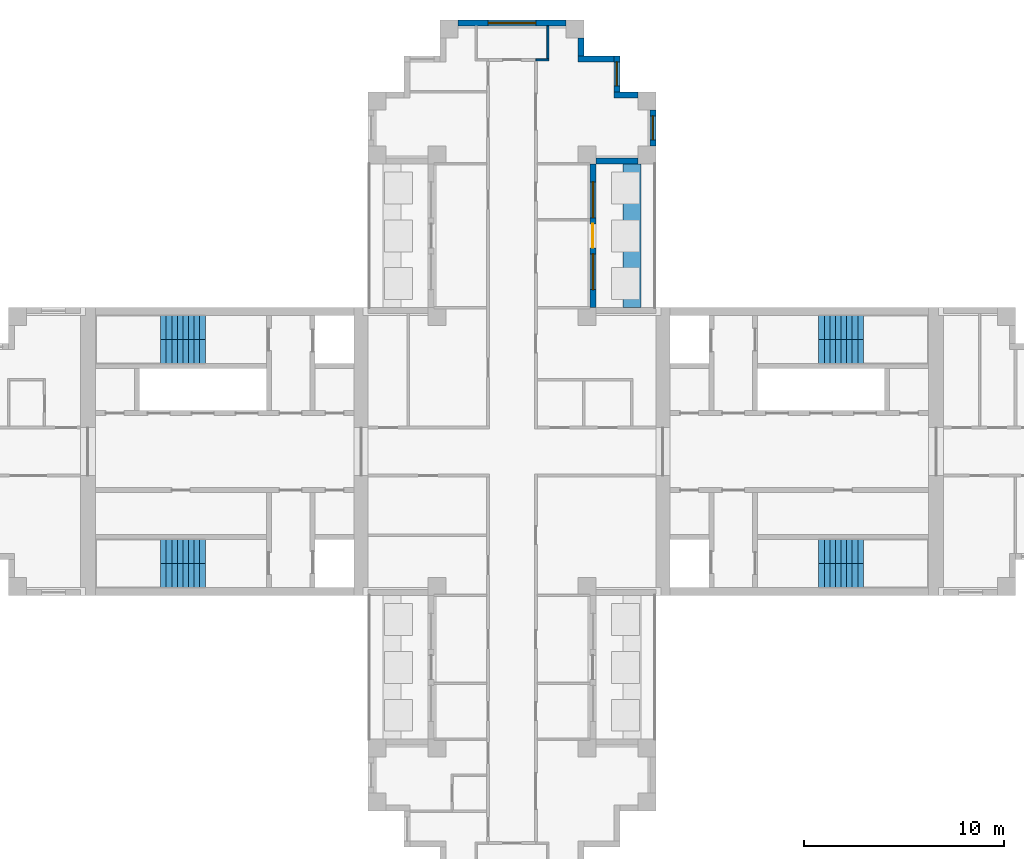
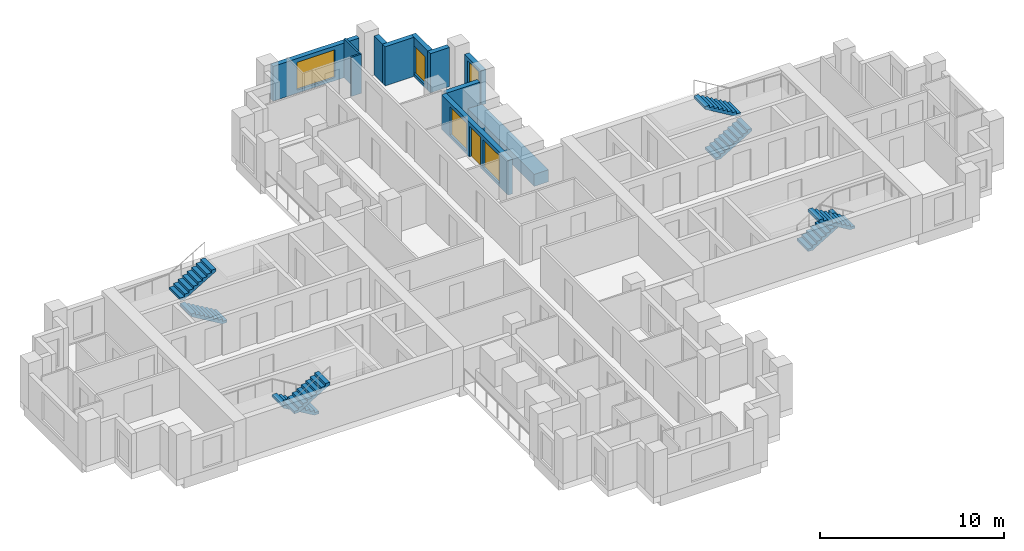
# One storey, part 7 of 9: 11 walls, 8 stair flights, 5 windows, 1 door, 6 openings, 4 elements without a shape of their own.
"""IFC4 building model written with IfcOpenShell, lengths in metres."""

from ifc_helpers import new_model, si_unit, direction, frame, frame_2d, origin, place, context, subcontext, project, spatial, polyline, rectangle, outline, extrude, material, layer, layer_set, type_object, element, fill, aggregate, save


model = new_model("IFC4")

# Units and contexts
model_context = context("Model", 3, precision=1e-05, world=origin(), true_north=direction((0.0, 1.0)))
body_context = subcontext(model_context, "Body", "Model", "MODEL_VIEW")
ifc_project = project(units=[si_unit("LENGTHUNIT", "METRE"), si_unit("AREAUNIT", "SQUARE_METRE"), si_unit("VOLUMEUNIT", "CUBIC_METRE"), si_unit("PLANEANGLEUNIT", "RADIAN"), si_unit("MASSUNIT", "GRAM", prefix="KILO")], contexts=[model_context])

# Site, building, storey
site_placement = place(None, origin())
site = spatial("IfcSite", under=ifc_project, at=site_placement, CompositionType="ELEMENT")
building_placement = place(site_placement, origin())
building = spatial("IfcBuilding", under=site, at=building_placement, Name="Fustian Cross Tower", CompositionType="ELEMENT")
storey_placement = place(building_placement, frame((0.0, 0.0, 216.89990234375)))
storey = spatial("IfcBuildingStorey", under=building, at=storey_placement, Name="L68", CompositionType="ELEMENT", Elevation=216.89990234375)

# Walls
ifc_material_1 = material(Name="Plasterboard on steel stud", Category="steel")
ifc_layer_1 = layer(ifc_material_1, 0.10009765625)
ifc_layer_set_1 = layer_set([ifc_layer_1], Name="Plasterboard on steel stud")
wall_type_1 = type_object("IfcWallType", Name="PARTITION 100 STUD", PredefinedType="PARTITIONING", material=ifc_layer_set_1)
wall_1_placement = place(storey_placement, frame((1.199951171875, 19.60009765625, 0.0), z_axis=(0.0, 0.0, 1.0), x_axis=(1.0, 0.0, 0.0)))
element("IfcWall", 1, at=wall_1_placement, inside=storey, type_object=wall_type_1, Name="Partition 45", PredefinedType="PARTITIONING", context=body_context, shape_type="SweptSolid", body=[
    extrude(rectangle(XDim=0.650146484375, YDim=0.10009765625, at=frame_2d((0.3251953125, 0.0))), origin(), (0.0, 0.0, 1.0), 2.60009765625),
])
wall_2_placement = place(storey_placement, frame((1.800048828125, 19.64990234375, 0.0), z_axis=(0.0, 0.0, 1.0), x_axis=(0.0, 1.0, 0.0)))
element("IfcWall", 2, at=wall_2_placement, inside=storey, type_object=wall_type_1, Name="Partition 47", PredefinedType="PARTITIONING", context=body_context, shape_type="SweptSolid", body=[
    extrude(rectangle(XDim=1.650146484375, YDim=0.10009765625, at=frame_2d((0.8251953125, 0.0))), origin(), (0.0, 0.0, 1.0), 2.60009765625),
])
ifc_material_2 = material(Name="Concrete C40/50", Category="concrete")
ifc_layer_2 = layer(ifc_material_2, 0.89990234375)
ifc_layer_set_2 = layer_set([ifc_layer_2], Name="Concrete C40/50")
wall_type_2 = type_object("IfcWallType", Name="PK1 PLANTER 900", PredefinedType="PARAPET", material=ifc_layer_set_2)
wall_3_placement = place(storey_placement, frame((6.0, 7.199951171875, 0.0), z_axis=(0.0, 0.0, 1.0), x_axis=(0.0, 1.0, 0.0)))
element("IfcWall", 3, at=wall_3_placement, inside=storey, type_object=wall_type_2, Name="PLANTER", PredefinedType="PARAPET", context=body_context, shape_type="SweptSolid", body=[
    extrude(rectangle(XDim=7.199951171875, YDim=0.89990234375, at=frame_2d((3.60009765625, 0.0))), origin(), (0.0, 0.0, 1.0), 0.800048828125),
])

# Wall, openings, door, windows
ifc_material_3 = material(Name="Dark aluminium cladding on insulated backing wall", Category="aluminium")
ifc_layer_3 = layer(ifc_material_3, 0.300048828125)
ifc_layer_set_3 = layer_set([ifc_layer_3], Name="Dark aluminium cladding on insulated backing wall")
wall_type_3 = type_object("IfcWallType", Name="XW1 EXTERNAL WALL 300", PredefinedType="SOLIDWALL", material=ifc_layer_set_3)
wall_4_placement = place(storey_placement, frame((4.050048828125, 7.199951171875, 0.0), z_axis=(0.0, 0.0, 1.0), x_axis=(0.0, 1.0, 0.0)))
wall_4 = element("IfcWall", 4, at=wall_4_placement, inside=storey, type_object=wall_type_3, Name="External wall", PredefinedType="SOLIDWALL", context=body_context, shape_type="SweptSolid", body=[
    extrude(rectangle(XDim=7.199951171875, YDim=0.300048828125, at=frame_2d((3.60009765625, 0.0))), origin(), (0.0, 0.0, 1.0), 2.300048828125),
])
opening_1_placement = place(wall_4_placement, frame((3.0, 0.0, 0.0)))
opening_1 = element("IfcOpeningElement", 5, at=opening_1_placement, cuts=wall_4, Name="Opening XD1", PredefinedType="OPENING", context=body_context, shape_type="SweptSolid", body=[
    extrude(rectangle(XDim=1.199951171875, YDim=2.050048828125, at=frame_2d((0.60009765625, 1.02490234375))), frame((0.0, 0.159912109375, 0.0), z_axis=(0.0, -1.0, 0.0), x_axis=(1.0, 0.0, 0.0)), (0.0, 0.0, 1.0), 0.320068359375),
])
opening_2_placement = place(wall_4_placement, frame((0.89990234375, 0.0, 0.199951171875)))
opening_2 = element("IfcOpeningElement", 6, at=opening_2_placement, cuts=wall_4, Name="Opening WN2", PredefinedType="OPENING", context=body_context, shape_type="SweptSolid", body=[
    extrude(rectangle(XDim=1.800048828125, YDim=1.85009765625, at=frame_2d((0.89990234375, 0.925048828125))), frame((0.0, 0.159912109375, 0.0), z_axis=(0.0, -1.0, 0.0), x_axis=(1.0, 0.0, 0.0)), (0.0, 0.0, 1.0), 0.320068359375),
])
opening_3_placement = place(wall_4_placement, frame((4.5, 0.0, 0.199951171875)))
opening_3 = element("IfcOpeningElement", 7, at=opening_3_placement, cuts=wall_4, Name="Opening WN2", PredefinedType="OPENING", context=body_context, shape_type="SweptSolid", body=[
    extrude(rectangle(XDim=1.800048828125, YDim=1.85009765625, at=frame_2d((0.89990234375, 0.925048828125))), frame((0.0, 0.159912109375, 0.0), z_axis=(0.0, -1.0, 0.0), x_axis=(1.0, 0.0, 0.0)), (0.0, 0.0, 1.0), 0.320068359375),
])
ifc_material_4 = material(Name="Dark anodised aluminium and double glazing", Category="aluminium")
door_type = type_object("IfcDoorType", Name="ED1 BALCONY DOOR 1200X2050", OperationType="SINGLE_SWING_LEFT", PredefinedType="DOOR", material=ifc_material_4)
door_placement = place(opening_1_placement, origin())
door = element("IfcDoor", 8, at=door_placement, inside=storey, type_object=door_type, Name="Balcony door", OperationType="SINGLE_SWING_LEFT", OverallHeight=2.050048828125, OverallWidth=1.199951171875, PredefinedType="DOOR", context=body_context, shape_type="SweptSolid", body=[
    extrude(rectangle(XDim=1.199951171875, YDim=2.050048828125, at=frame_2d((0.60009765625, 1.02490234375))), frame((0.0, 0.02490234375, 0.0), z_axis=(0.0, -1.0, 0.0), x_axis=(1.0, 0.0, 0.0)), (0.0, 0.0, 1.0), 0.050048828125),
])
fill(opening_1, door)
ifc_material_5 = material(Name="Dark anodised aluminium and double glazing", Category="aluminium")
window_type_1 = type_object("IfcWindowType", Name="WN2 WINDOW 1800X1850", PartitioningType="SINGLE_PANEL", PredefinedType="WINDOW", material=ifc_material_5)
window_1_placement = place(opening_2_placement, origin())
window_1 = element("IfcWindow", 9, at=window_1_placement, inside=storey, type_object=window_type_1, Name="Window", OverallHeight=1.85009765625, OverallWidth=1.800048828125, PartitioningType="SINGLE_PANEL", PredefinedType="WINDOW", context=body_context, shape_type="SweptSolid", body=[
    extrude(rectangle(XDim=1.800048828125, YDim=1.85009765625, at=frame_2d((0.89990234375, 0.925048828125))), frame((0.0, 0.030029296875, 0.0), z_axis=(0.0, -1.0, 0.0), x_axis=(1.0, 0.0, 0.0)), (0.0, 0.0, 1.0), 0.06005859375),
])
fill(opening_2, window_1)
window_2_placement = place(opening_3_placement, origin())
window_2 = element("IfcWindow", 10, at=window_2_placement, inside=storey, type_object=window_type_1, Name="Window", OverallHeight=1.85009765625, OverallWidth=1.800048828125, PartitioningType="SINGLE_PANEL", PredefinedType="WINDOW", context=body_context, shape_type="SweptSolid", body=[
    extrude(rectangle(XDim=1.800048828125, YDim=1.85009765625, at=frame_2d((0.89990234375, 0.925048828125))), frame((0.0, 0.030029296875, 0.0), z_axis=(0.0, -1.0, 0.0), x_axis=(1.0, 0.0, 0.0)), (0.0, 0.0, 1.0), 0.06005859375),
])
fill(opening_3, window_2)

# Wall
wall_5_placement = place(storey_placement, frame((4.199951171875, 14.550048828125, 0.0), z_axis=(0.0, 0.0, 1.0), x_axis=(1.0, 0.0, 0.0)))
element("IfcWall", 11, at=wall_5_placement, inside=storey, type_object=wall_type_3, Name="External wall", PredefinedType="SOLIDWALL", context=body_context, shape_type="SweptSolid", body=[
    extrude(rectangle(XDim=2.10009765625, YDim=0.300048828125, at=frame_2d((1.050048828125, 0.0))), origin(), (0.0, 0.0, 1.0), 2.300048828125),
])

# Wall, opening, window
wall_6_placement = place(storey_placement, frame((7.050048828125, 15.300048828125, 0.0), z_axis=(0.0, 0.0, 1.0), x_axis=(0.0, 1.0, 0.0)))
wall_6 = element("IfcWall", 12, at=wall_6_placement, inside=storey, type_object=wall_type_3, Name="External wall", PredefinedType="SOLIDWALL", context=body_context, shape_type="SweptSolid", body=[
    extrude(rectangle(XDim=1.800048828125, YDim=0.300048828125, at=frame_2d((0.89990234375, 0.0))), origin(), (0.0, 0.0, 1.0), 2.300048828125),
])
opening_4_placement = place(wall_6_placement, frame((0.300048828125, 0.0, 0.199951171875)))
opening_4 = element("IfcOpeningElement", 13, at=opening_4_placement, cuts=wall_6, Name="Opening WN3", PredefinedType="OPENING", context=body_context, shape_type="SweptSolid", body=[
    extrude(rectangle(XDim=1.199951171875, YDim=1.85009765625, at=frame_2d((0.60009765625, 0.925048828125))), frame((0.0, 0.159912109375, 0.0), z_axis=(0.0, -1.0, 0.0), x_axis=(1.0, 0.0, 0.0)), (0.0, 0.0, 1.0), 0.320068359375),
])
ifc_material_6 = material(Name="Dark anodised aluminium and double glazing", Category="aluminium")
window_type_2 = type_object("IfcWindowType", Name="WN3 WINDOW 1200X1850", PartitioningType="SINGLE_PANEL", PredefinedType="WINDOW", material=ifc_material_6)
window_3_placement = place(opening_4_placement, origin())
window_3 = element("IfcWindow", 14, at=window_3_placement, inside=storey, type_object=window_type_2, Name="Window", OverallHeight=1.85009765625, OverallWidth=1.199951171875, PartitioningType="SINGLE_PANEL", PredefinedType="WINDOW", context=body_context, shape_type="SweptSolid", body=[
    extrude(rectangle(XDim=1.199951171875, YDim=1.85009765625, at=frame_2d((0.60009765625, 0.925048828125))), frame((0.0, 0.030029296875, 0.0), z_axis=(0.0, -1.0, 0.0), x_axis=(1.0, 0.0, 0.0)), (0.0, 0.0, 1.0), 0.06005859375),
])
fill(opening_4, window_3)

# Wall
wall_7_placement = place(storey_placement, frame((6.300048828125, 17.85009765625, 0.0), z_axis=(0.0, 0.0, 1.0), x_axis=(-1.0, 0.0, 0.0)))
element("IfcWall", 15, at=wall_7_placement, inside=storey, type_object=wall_type_3, Name="External wall", PredefinedType="SOLIDWALL", context=body_context, shape_type="SweptSolid", body=[
    extrude(rectangle(XDim=1.199951171875, YDim=0.300048828125, at=frame_2d((0.60009765625, 0.0))), origin(), (0.0, 0.0, 1.0), 2.60009765625),
])

# Wall, opening, window
wall_8_placement = place(storey_placement, frame((5.25, 18.0, 0.0), z_axis=(0.0, 0.0, 1.0), x_axis=(0.0, 1.0, 0.0)))
wall_8 = element("IfcWall", 16, at=wall_8_placement, inside=storey, type_object=wall_type_3, Name="External wall", PredefinedType="SOLIDWALL", context=body_context, shape_type="SweptSolid", body=[
    extrude(rectangle(XDim=1.800048828125, YDim=0.300048828125, at=frame_2d((0.89990234375, 0.0))), origin(), (0.0, 0.0, 1.0), 2.60009765625),
])
opening_5_placement = place(wall_8_placement, frame((0.300048828125, 0.0, 0.199951171875)))
opening_5 = element("IfcOpeningElement", 17, at=opening_5_placement, cuts=wall_8, Name="Opening WN3", PredefinedType="OPENING", context=body_context, shape_type="SweptSolid", body=[
    extrude(rectangle(XDim=1.199951171875, YDim=1.85009765625, at=frame_2d((0.60009765625, 0.925048828125))), frame((0.0, 0.159912109375, 0.0), z_axis=(0.0, -1.0, 0.0), x_axis=(1.0, 0.0, 0.0)), (0.0, 0.0, 1.0), 0.320068359375),
])
window_4_placement = place(opening_5_placement, origin())
window_4 = element("IfcWindow", 18, at=window_4_placement, inside=storey, type_object=window_type_2, Name="Window", OverallHeight=1.85009765625, OverallWidth=1.199951171875, PartitioningType="SINGLE_PANEL", PredefinedType="WINDOW", context=body_context, shape_type="SweptSolid", body=[
    extrude(rectangle(XDim=1.199951171875, YDim=1.85009765625, at=frame_2d((0.60009765625, 0.925048828125))), frame((0.0, 0.030029296875, 0.0), z_axis=(0.0, -1.0, 0.0), x_axis=(1.0, 0.0, 0.0)), (0.0, 0.0, 1.0), 0.06005859375),
])
fill(opening_5, window_4)

# Walls
wall_9_placement = place(storey_placement, frame((5.10009765625, 19.64990234375, 0.0), z_axis=(0.0, 0.0, 1.0), x_axis=(-1.0, 0.0, 0.0)))
element("IfcWall", 19, at=wall_9_placement, inside=storey, type_object=wall_type_3, Name="External wall", PredefinedType="SOLIDWALL", context=body_context, shape_type="SweptSolid", body=[
    extrude(rectangle(XDim=1.800048828125, YDim=0.300048828125, at=frame_2d((0.89990234375, 0.0))), origin(), (0.0, 0.0, 1.0), 2.60009765625),
])
wall_10_placement = place(storey_placement, frame((3.449951171875, 19.800048828125, 0.0), z_axis=(0.0, 0.0, 1.0), x_axis=(0.0, 1.0, 0.0)))
element("IfcWall", 20, at=wall_10_placement, inside=storey, type_object=wall_type_3, Name="External wall", PredefinedType="SOLIDWALL", context=body_context, shape_type="SweptSolid", body=[
    extrude(rectangle(XDim=0.89990234375, YDim=0.300048828125, at=frame_2d((0.449951171875, 0.0))), origin(), (0.0, 0.0, 1.0), 2.60009765625),
])

# Wall, opening, window
wall_11_placement = place(storey_placement, frame((2.699951171875, 21.449951171875, 0.0), z_axis=(0.0, 0.0, 1.0), x_axis=(-1.0, 0.0, 0.0)))
wall_11 = element("IfcWall", 21, at=wall_11_placement, inside=storey, type_object=wall_type_3, Name="External wall", PredefinedType="SOLIDWALL", context=body_context, shape_type="SweptSolid", body=[
    extrude(rectangle(XDim=5.39990234375, YDim=0.300048828125, at=frame_2d((2.699951171875, 0.0))), origin(), (0.0, 0.0, 1.0), 2.300048828125),
])
opening_6_placement = place(wall_11_placement, frame((1.5, 0.0, 0.199951171875)))
opening_6 = element("IfcOpeningElement", 22, at=opening_6_placement, cuts=wall_11, Name="Opening WN1", PredefinedType="OPENING", context=body_context, shape_type="SweptSolid", body=[
    extrude(rectangle(XDim=2.39990234375, YDim=1.85009765625, at=frame_2d((1.199951171875, 0.925048828125))), frame((0.0, 0.159912109375, 0.0), z_axis=(0.0, -1.0, 0.0), x_axis=(1.0, 0.0, 0.0)), (0.0, 0.0, 1.0), 0.320068359375),
])
ifc_material_7 = material(Name="Dark anodised aluminium and double glazing", Category="aluminium")
window_type_3 = type_object("IfcWindowType", Name="WN1 WINDOW 2400X1850", PartitioningType="SINGLE_PANEL", PredefinedType="WINDOW", material=ifc_material_7)
window_5_placement = place(opening_6_placement, origin())
window_5 = element("IfcWindow", 23, at=window_5_placement, inside=storey, type_object=window_type_3, Name="Window", OverallHeight=1.85009765625, OverallWidth=2.39990234375, PartitioningType="SINGLE_PANEL", PredefinedType="WINDOW", context=body_context, shape_type="SweptSolid", body=[
    extrude(rectangle(XDim=2.39990234375, YDim=1.85009765625, at=frame_2d((1.199951171875, 0.925048828125))), frame((0.0, 0.030029296875, 0.0), z_axis=(0.0, -1.0, 0.0), x_axis=(1.0, 0.0, 0.0)), (0.0, 0.0, 1.0), 0.06005859375),
])
fill(opening_6, window_5)

# Stair, stair flights
ifc_material_8 = material(Name="Concrete C50/60", Category="concrete")
stair_type = type_object("IfcStairType", Name="STAIR 1200 HALF TURN", PredefinedType="HALF_TURN_STAIR", material=ifc_material_8)
stair_1_placement = place(storey_placement, origin())
stair_1 = element("IfcStair", 24, at=stair_1_placement, inside=storey, type_object=stair_type, Name="Stair ST1", PredefinedType="HALF_TURN_STAIR")
ifc_material_9 = material(Name="Concrete C50/60", Category="concrete")
stair_flight_type = type_object("IfcStairFlightType", Name="STAIR FLIGHT 1200", PredefinedType="STRAIGHT", material=ifc_material_9)
stair_flight_1_placement = place(storey_placement, frame((15.35009765625, 5.0, 0.0), z_axis=(0.0, 0.0, 1.0), x_axis=(1.0, 0.0, 0.0)))
stair_flight_1 = element("IfcStairFlight", 25, at=stair_flight_1_placement, type_object=stair_flight_type, Name="ST1 flight 1", NumberOfRisers=9, NumberOfTreads=8, PredefinedType="STRAIGHT", RiserHeight=0.166666667, TreadLength=0.28, context=body_context, shape_type="SweptSolid", body=[
    extrude(outline(polyline([(0.0, 0.0), (0.0, 0.166748046875), (0.280029296875, 0.166748046875), (0.280029296875, 0.333251953125), (0.56005859375, 0.333251953125), (0.56005859375, 0.5), (0.840087890625, 0.5), (0.840087890625, 0.666748046875), (1.1201171875, 0.666748046875), (1.1201171875, 0.833251953125), (1.39990234375, 0.833251953125), (1.39990234375, 1.0), (1.679931640625, 1.0), (1.679931640625, 1.166748046875), (1.9599609375, 1.166748046875), (1.9599609375, 1.333251953125), (2.239990234375, 1.333251953125), (2.239990234375, 1.5), (2.239990234375, 1.158935546875), (0.29296875, 0.0), (0.0, 0.0)])), frame((0.0, 0.60009765625, 0.0), z_axis=(0.0, -1.0, 0.0), x_axis=(1.0, 0.0, 0.0)), (0.0, 0.0, 1.0), 1.199951171875),
])
stair_flight_2_placement = place(storey_placement, frame((17.590087890625, 6.199951171875, 1.5), z_axis=(0.0, 0.0, 1.0), x_axis=(-1.0, 0.0, 0.0)))
stair_flight_2 = element("IfcStairFlight", 26, at=stair_flight_2_placement, type_object=stair_flight_type, Name="ST1 flight 2", NumberOfRisers=9, NumberOfTreads=8, PredefinedType="STRAIGHT", RiserHeight=0.166666667, TreadLength=0.28, context=body_context, shape_type="SweptSolid", body=[
    extrude(outline(polyline([(0.0, 0.0), (0.0, 0.166748046875), (0.280029296875, 0.166748046875), (0.280029296875, 0.333251953125), (0.56005859375, 0.333251953125), (0.56005859375, 0.5), (0.840087890625, 0.5), (0.840087890625, 0.666748046875), (1.1201171875, 0.666748046875), (1.1201171875, 0.833251953125), (1.39990234375, 0.833251953125), (1.39990234375, 1.0), (1.679931640625, 1.0), (1.679931640625, 1.166748046875), (1.9599609375, 1.166748046875), (1.9599609375, 1.333251953125), (2.239990234375, 1.333251953125), (2.239990234375, 1.5), (2.239990234375, 1.158935546875), (0.29296875, 0.0), (0.0, 0.0)])), frame((0.0, 0.60009765625, 0.0), z_axis=(0.0, -1.0, 0.0), x_axis=(1.0, 0.0, 0.0)), (0.0, 0.0, 1.0), 1.199951171875),
])
aggregate(stair_1, [stair_flight_1, stair_flight_2])

stair_2_placement = place(storey_placement, origin())
stair_2 = element("IfcStair", 27, at=stair_2_placement, inside=storey, type_object=stair_type, Name="Stair ST2", PredefinedType="HALF_TURN_STAIR")
stair_flight_3_placement = place(storey_placement, frame((15.35009765625, -5.0, 0.0), z_axis=(0.0, 0.0, 1.0), x_axis=(1.0, 0.0, 0.0)))
stair_flight_3 = element("IfcStairFlight", 28, at=stair_flight_3_placement, type_object=stair_flight_type, Name="ST2 flight 1", NumberOfRisers=9, NumberOfTreads=8, PredefinedType="STRAIGHT", RiserHeight=0.166666667, TreadLength=0.28, context=body_context, shape_type="SweptSolid", body=[
    extrude(outline(polyline([(0.0, 0.0), (0.0, 0.166748046875), (0.280029296875, 0.166748046875), (0.280029296875, 0.333251953125), (0.56005859375, 0.333251953125), (0.56005859375, 0.5), (0.840087890625, 0.5), (0.840087890625, 0.666748046875), (1.1201171875, 0.666748046875), (1.1201171875, 0.833251953125), (1.39990234375, 0.833251953125), (1.39990234375, 1.0), (1.679931640625, 1.0), (1.679931640625, 1.166748046875), (1.9599609375, 1.166748046875), (1.9599609375, 1.333251953125), (2.239990234375, 1.333251953125), (2.239990234375, 1.5), (2.239990234375, 1.158935546875), (0.29296875, 0.0), (0.0, 0.0)])), frame((0.0, 0.60009765625, 0.0), z_axis=(0.0, -1.0, 0.0), x_axis=(1.0, 0.0, 0.0)), (0.0, 0.0, 1.0), 1.199951171875),
])
stair_flight_4_placement = place(storey_placement, frame((17.590087890625, -6.199951171875, 1.5), z_axis=(0.0, 0.0, 1.0), x_axis=(-1.0, 0.0, 0.0)))
stair_flight_4 = element("IfcStairFlight", 29, at=stair_flight_4_placement, type_object=stair_flight_type, Name="ST2 flight 2", NumberOfRisers=9, NumberOfTreads=8, PredefinedType="STRAIGHT", RiserHeight=0.166666667, TreadLength=0.28, context=body_context, shape_type="SweptSolid", body=[
    extrude(outline(polyline([(0.0, 0.0), (0.0, 0.166748046875), (0.280029296875, 0.166748046875), (0.280029296875, 0.333251953125), (0.56005859375, 0.333251953125), (0.56005859375, 0.5), (0.840087890625, 0.5), (0.840087890625, 0.666748046875), (1.1201171875, 0.666748046875), (1.1201171875, 0.833251953125), (1.39990234375, 0.833251953125), (1.39990234375, 1.0), (1.679931640625, 1.0), (1.679931640625, 1.166748046875), (1.9599609375, 1.166748046875), (1.9599609375, 1.333251953125), (2.239990234375, 1.333251953125), (2.239990234375, 1.5), (2.239990234375, 1.158935546875), (0.29296875, 0.0), (0.0, 0.0)])), frame((0.0, 0.60009765625, 0.0), z_axis=(0.0, -1.0, 0.0), x_axis=(1.0, 0.0, 0.0)), (0.0, 0.0, 1.0), 1.199951171875),
])
aggregate(stair_2, [stair_flight_3, stair_flight_4])

stair_3_placement = place(storey_placement, origin())
stair_3 = element("IfcStair", 30, at=stair_3_placement, inside=storey, type_object=stair_type, Name="Stair ST3", PredefinedType="HALF_TURN_STAIR")
stair_flight_5_placement = place(storey_placement, frame((-15.35009765625, 5.0, 0.0), z_axis=(0.0, 0.0, 1.0), x_axis=(-1.0, 0.0, 0.0)))
stair_flight_5 = element("IfcStairFlight", 31, at=stair_flight_5_placement, type_object=stair_flight_type, Name="ST3 flight 1", NumberOfRisers=9, NumberOfTreads=8, PredefinedType="STRAIGHT", RiserHeight=0.166666667, TreadLength=0.28, context=body_context, shape_type="SweptSolid", body=[
    extrude(outline(polyline([(0.0, 0.0), (0.0, 0.166748046875), (0.280029296875, 0.166748046875), (0.280029296875, 0.333251953125), (0.56005859375, 0.333251953125), (0.56005859375, 0.5), (0.840087890625, 0.5), (0.840087890625, 0.666748046875), (1.1201171875, 0.666748046875), (1.1201171875, 0.833251953125), (1.39990234375, 0.833251953125), (1.39990234375, 1.0), (1.679931640625, 1.0), (1.679931640625, 1.166748046875), (1.9599609375, 1.166748046875), (1.9599609375, 1.333251953125), (2.239990234375, 1.333251953125), (2.239990234375, 1.5), (2.239990234375, 1.158935546875), (0.29296875, 0.0), (0.0, 0.0)])), frame((0.0, 0.60009765625, 0.0), z_axis=(0.0, -1.0, 0.0), x_axis=(1.0, 0.0, 0.0)), (0.0, 0.0, 1.0), 1.199951171875),
])
stair_flight_6_placement = place(storey_placement, frame((-17.590087890625, 6.199951171875, 1.5), z_axis=(0.0, 0.0, 1.0), x_axis=(1.0, 0.0, 0.0)))
stair_flight_6 = element("IfcStairFlight", 32, at=stair_flight_6_placement, type_object=stair_flight_type, Name="ST3 flight 2", NumberOfRisers=9, NumberOfTreads=8, PredefinedType="STRAIGHT", RiserHeight=0.166666667, TreadLength=0.28, context=body_context, shape_type="SweptSolid", body=[
    extrude(outline(polyline([(0.0, 0.0), (0.0, 0.166748046875), (0.280029296875, 0.166748046875), (0.280029296875, 0.333251953125), (0.56005859375, 0.333251953125), (0.56005859375, 0.5), (0.840087890625, 0.5), (0.840087890625, 0.666748046875), (1.1201171875, 0.666748046875), (1.1201171875, 0.833251953125), (1.39990234375, 0.833251953125), (1.39990234375, 1.0), (1.679931640625, 1.0), (1.679931640625, 1.166748046875), (1.9599609375, 1.166748046875), (1.9599609375, 1.333251953125), (2.239990234375, 1.333251953125), (2.239990234375, 1.5), (2.239990234375, 1.158935546875), (0.29296875, 0.0), (0.0, 0.0)])), frame((0.0, 0.60009765625, 0.0), z_axis=(0.0, -1.0, 0.0), x_axis=(1.0, 0.0, 0.0)), (0.0, 0.0, 1.0), 1.199951171875),
])
aggregate(stair_3, [stair_flight_5, stair_flight_6])

stair_4_placement = place(storey_placement, origin())
stair_4 = element("IfcStair", 33, at=stair_4_placement, inside=storey, type_object=stair_type, Name="Stair ST4", PredefinedType="HALF_TURN_STAIR")
stair_flight_7_placement = place(storey_placement, frame((-15.35009765625, -5.0, 0.0), z_axis=(0.0, 0.0, 1.0), x_axis=(-1.0, 0.0, 0.0)))
stair_flight_7 = element("IfcStairFlight", 34, at=stair_flight_7_placement, type_object=stair_flight_type, Name="ST4 flight 1", NumberOfRisers=9, NumberOfTreads=8, PredefinedType="STRAIGHT", RiserHeight=0.166666667, TreadLength=0.28, context=body_context, shape_type="SweptSolid", body=[
    extrude(outline(polyline([(0.0, 0.0), (0.0, 0.166748046875), (0.280029296875, 0.166748046875), (0.280029296875, 0.333251953125), (0.56005859375, 0.333251953125), (0.56005859375, 0.5), (0.840087890625, 0.5), (0.840087890625, 0.666748046875), (1.1201171875, 0.666748046875), (1.1201171875, 0.833251953125), (1.39990234375, 0.833251953125), (1.39990234375, 1.0), (1.679931640625, 1.0), (1.679931640625, 1.166748046875), (1.9599609375, 1.166748046875), (1.9599609375, 1.333251953125), (2.239990234375, 1.333251953125), (2.239990234375, 1.5), (2.239990234375, 1.158935546875), (0.29296875, 0.0), (0.0, 0.0)])), frame((0.0, 0.60009765625, 0.0), z_axis=(0.0, -1.0, 0.0), x_axis=(1.0, 0.0, 0.0)), (0.0, 0.0, 1.0), 1.199951171875),
])
stair_flight_8_placement = place(storey_placement, frame((-17.590087890625, -6.199951171875, 1.5), z_axis=(0.0, 0.0, 1.0), x_axis=(1.0, 0.0, 0.0)))
stair_flight_8 = element("IfcStairFlight", 35, at=stair_flight_8_placement, type_object=stair_flight_type, Name="ST4 flight 2", NumberOfRisers=9, NumberOfTreads=8, PredefinedType="STRAIGHT", RiserHeight=0.166666667, TreadLength=0.28, context=body_context, shape_type="SweptSolid", body=[
    extrude(outline(polyline([(0.0, 0.0), (0.0, 0.166748046875), (0.280029296875, 0.166748046875), (0.280029296875, 0.333251953125), (0.56005859375, 0.333251953125), (0.56005859375, 0.5), (0.840087890625, 0.5), (0.840087890625, 0.666748046875), (1.1201171875, 0.666748046875), (1.1201171875, 0.833251953125), (1.39990234375, 0.833251953125), (1.39990234375, 1.0), (1.679931640625, 1.0), (1.679931640625, 1.166748046875), (1.9599609375, 1.166748046875), (1.9599609375, 1.333251953125), (2.239990234375, 1.333251953125), (2.239990234375, 1.5), (2.239990234375, 1.158935546875), (0.29296875, 0.0), (0.0, 0.0)])), frame((0.0, 0.60009765625, 0.0), z_axis=(0.0, -1.0, 0.0), x_axis=(1.0, 0.0, 0.0)), (0.0, 0.0, 1.0), 1.199951171875),
])
aggregate(stair_4, [stair_flight_7, stair_flight_8])

save(model, "model.ifc")
